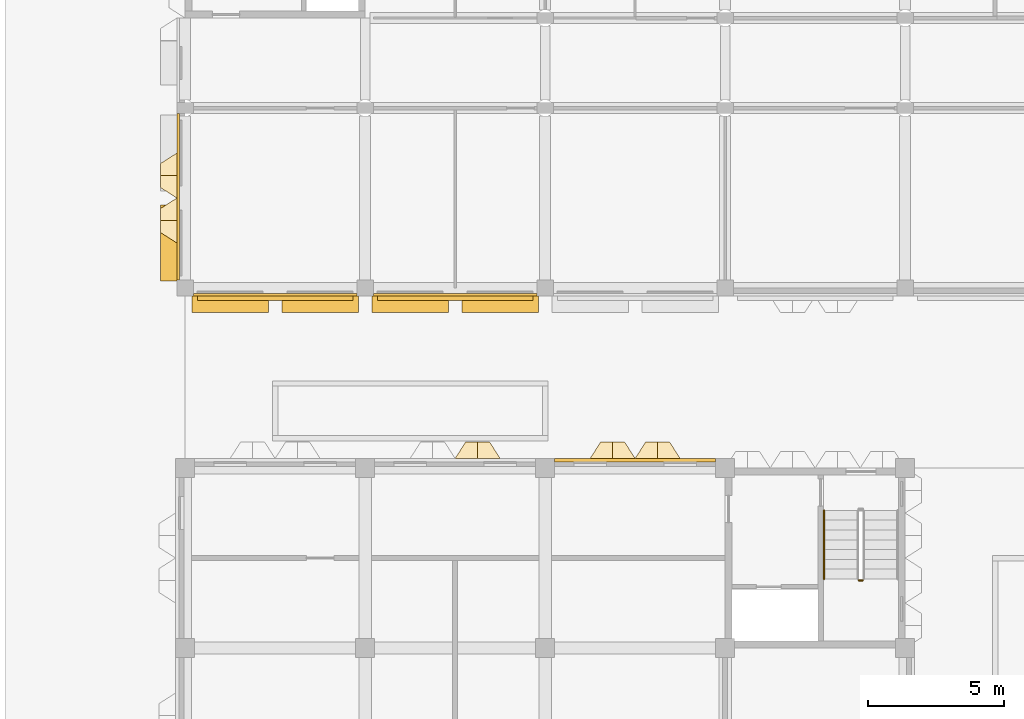
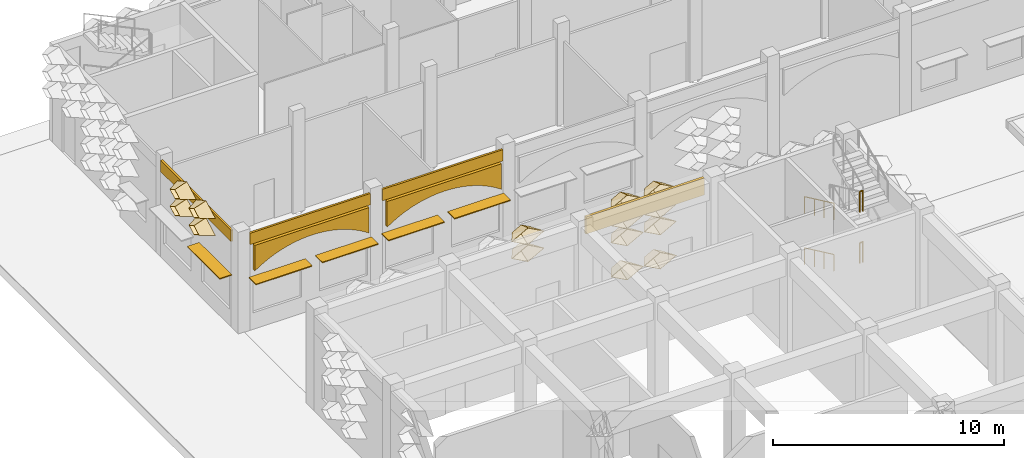
# One storey, part 66 of 85: 20 coverings, 5 shading devices, 4 railings.
"""IFC4 building model written with IfcOpenShell, lengths in metres."""

from ifc_helpers import new_model, entity, si_unit, direction, frame, frame_2d, origin, origin_2d, place, context, subcontext, project, spatial, polyline, rectangle, circle, outline, extrude, material, layer, layer_set, type_object, element, save


model = new_model("IFC4")

# Units and contexts
model_context = context("Model", 3, precision=1e-05, world=origin(), true_north=direction((0.0, 1.0)))
body_context = subcontext(model_context, "Body", "Model", "MODEL_VIEW")
ifc_project = project(units=[si_unit("LENGTHUNIT", "METRE"), si_unit("AREAUNIT", "SQUARE_METRE"), si_unit("VOLUMEUNIT", "CUBIC_METRE"), si_unit("PLANEANGLEUNIT", "RADIAN"), si_unit("MASSUNIT", "GRAM", prefix="KILO")], contexts=[model_context])

# Site, building, storey
site_placement = place(None, origin())
site = spatial("IfcSite", under=ifc_project, at=site_placement, CompositionType="ELEMENT")
building_placement = place(site_placement, origin())
building = spatial("IfcBuilding", under=site, at=building_placement, Name="Lantern Court Research Institute", CompositionType="ELEMENT")
storey_placement = place(building_placement, origin())
storey = spatial("IfcBuildingStorey", under=building, at=storey_placement, Name="L00", CompositionType="ELEMENT", Elevation=0.0)

# Coverings
ifc_material_1 = material(Name="Glass fibre reinforced concrete cladding", Category="concrete")
ifc_layer_1 = layer(ifc_material_1, 0.25)
ifc_layer_set_1 = layer_set([ifc_layer_1], Name="Glass fibre reinforced concrete cladding")
covering_type_1 = type_object("IfcCoveringType", Name="Arcade frieze panel 250 glass fibre reinforced concrete", PredefinedType="CLADDING", material=ifc_layer_set_1)
covering_1_placement = place(storey_placement, frame((0.0, 82.199951171875, 0.0), z_axis=(0.0, -1.0, 0.0), x_axis=(1.0, 0.0, 0.0)))
element("IfcCovering", 1, at=covering_1_placement, inside=storey, type_object=covering_type_1, Name="Cloister arched frieze panel 1", PredefinedType="CLADDING", context=body_context, shape_type="SweptSolid", body=[
    extrude(outline(polyline([(0.449951171875, 4.550048828125), (0.449951171875, 3.199951171875), (0.6875, 3.356689453125), (0.925048828125, 3.494873046875), (1.16259765625, 3.615966796875), (1.39990234375, 3.721923828125), (1.637451171875, 3.813232421875), (1.875, 3.89111328125), (2.112548828125, 3.955810546875), (2.35009765625, 4.00830078125), (2.58740234375, 4.048583984375), (2.824951171875, 4.0771484375), (3.0625, 4.09423828125), (3.300048828125, 4.10009765625), (3.53759765625, 4.09423828125), (3.77490234375, 4.0771484375), (4.012451171875, 4.048583984375), (4.25, 4.00830078125), (4.487548828125, 3.955810546875), (4.72509765625, 3.89111328125), (4.96240234375, 3.813232421875), (5.199951171875, 3.721923828125), (5.4375, 3.615966796875), (5.675048828125, 3.494873046875), (5.91259765625, 3.356689453125), (6.14990234375, 3.199951171875), (6.14990234375, 4.550048828125), (0.449951171875, 4.550048828125)])), origin(), (0.0, 0.0, 1.0), 0.14990234375),
])
covering_2_placement = place(storey_placement, frame((0.0, 82.199951171875, 0.0), z_axis=(0.0, -1.0, 0.0), x_axis=(1.0, 0.0, 0.0)))
element("IfcCovering", 2, at=covering_2_placement, inside=storey, type_object=covering_type_1, Name="Cloister arched frieze panel 2", PredefinedType="CLADDING", context=body_context, shape_type="SweptSolid", body=[
    extrude(outline(polyline([(7.050048828125, 4.550048828125), (7.050048828125, 3.199951171875), (7.28759765625, 3.356689453125), (7.52490234375, 3.494873046875), (7.762451171875, 3.615966796875), (8.0, 3.721923828125), (8.237548828125, 3.813232421875), (8.47509765625, 3.89111328125), (8.71240234375, 3.955810546875), (8.949951171875, 4.00830078125), (9.1875, 4.048583984375), (9.425048828125, 4.0771484375), (9.66259765625, 4.09423828125), (9.89990234375, 4.10009765625), (10.137451171875, 4.09423828125), (10.375, 4.0771484375), (10.612548828125, 4.048583984375), (10.85009765625, 4.00830078125), (11.08740234375, 3.955810546875), (11.324951171875, 3.89111328125), (11.5625, 3.813232421875), (11.800048828125, 3.721923828125), (12.03759765625, 3.615966796875), (12.27490234375, 3.494873046875), (12.512451171875, 3.356689453125), (12.75, 3.199951171875), (12.75, 4.550048828125), (7.050048828125, 4.550048828125)])), origin(), (0.0, 0.0, 1.0), 0.14990234375),
])

# Shading devices
ifc_material_2 = material(Name="Aluminium alloy 6063-T6", Category="aluminium")
ifc_layer_2 = layer(ifc_material_2, 0.050048828125)
ifc_layer_set_2 = layer_set([ifc_layer_2], Name="Aluminium alloy 6063-T6")
shading_device_type = type_object("IfcShadingDeviceType", Name="Brise-soleil blade 2800 x 600 x 50 aluminium", PredefinedType="USERDEFINED", material=ifc_layer_set_2)
for number, where, z_axis, x_axis, name in (
    (3, (1.64990234375, 81.89990234375, 2.7998046875), (0.0, 0.0, 1.0), (-1.0, 0.0, 0.0), "Brise-soleil blade L00 S"),
    (4, (4.949951171875, 81.89990234375, 2.7998046875), (0.0, 0.0, 1.0), (-1.0, 0.0, 0.0), "Brise-soleil blade L00 S"),
    (5, (8.25, 81.89990234375, 2.7998046875), (0.0, 0.0, 1.0), (-1.0, 0.0, 0.0), "Brise-soleil blade L00 S"),
    (6, (11.550048828125, 81.89990234375, 2.7998046875), (0.0, 0.0, 1.0), (-1.0, 0.0, 0.0), "Brise-soleil blade L00 S"),
    (7, (-0.60009765625, 84.14990234375, 2.7998046875), (0.0, 0.0, 1.0), (0.0, 1.0, 0.0), "Brise-soleil blade L00 W"),
):
    element("IfcShadingDevice", number, at=place(storey_placement, frame(where, z_axis=z_axis, x_axis=x_axis)), inside=storey, type_object=shading_device_type, Name=name, ObjectType="LOUVRE", PredefinedType="USERDEFINED", context=body_context, shape_type="SweptSolid", body=[
        extrude(rectangle(XDim=2.800048828125, YDim=0.60009765625, at=origin_2d()), origin(), (0.0, 0.0, 1.0), 0.050048828125),
    ])

# Coverings
ifc_material_3 = material(Name="Aluminium composite panel with mineral wool insulation", Category="aluminium")
ifc_layer_3 = layer(ifc_material_3, 0.10009765625)
ifc_layer_set_3 = layer_set([ifc_layer_3], Name="Aluminium composite panel with mineral wool insulation")
covering_type_2 = type_object("IfcCoveringType", Name="Edge fascia panel 100 aluminium faced", PredefinedType="CLADDING", material=ifc_layer_set_3)
for number, where, z_axis, x_axis, name in (
    (8, (6.300048828125, 82.25, 4.550048828125), (0.0, 0.0, 1.0), (-1.0, 0.0, 0.0), "Edge fascia V6S L00 01"),
    (9, (12.89990234375, 82.25, 4.550048828125), (0.0, 0.0, 1.0), (-1.0, 0.0, 0.0), "Edge fascia V6S L00 02"),
):
    element("IfcCovering", number, at=place(storey_placement, frame(where, z_axis=z_axis, x_axis=x_axis)), inside=storey, type_object=covering_type_2, Name=name, PredefinedType="CLADDING", context=body_context, shape_type="SweptSolid", body=[
        extrude(rectangle(XDim=6.0, YDim=0.10009765625, at=frame_2d((3.0, 0.0))), origin(), (0.0, 0.0, 1.0), 0.599853515625),
    ])
covering_3_placement = place(storey_placement, frame((-0.25, 82.800048828125, 4.550048828125), z_axis=(0.0, 0.0, 1.0), x_axis=(0.0, 1.0, 0.0)))
element("IfcCovering", 10, at=covering_3_placement, inside=storey, type_object=covering_type_2, Name="Edge fascia V6W L00 01", PredefinedType="CLADDING", context=body_context, shape_type="SweptSolid", body=[
    extrude(rectangle(XDim=6.099853515625, YDim=0.10009765625, at=frame_2d((3.0498046875, 0.0))), origin(), (0.0, 0.0, 1.0), 0.599853515625),
])
ifc_material_4 = material(Name="Aluminium composite panel with mineral wool insulation", Category="aluminium")
ifc_layer_4 = layer(ifc_material_4, 0.125)
ifc_layer_set_4 = layer_set([ifc_layer_4], Name="Aluminium composite panel with mineral wool insulation")
covering_type_3 = type_object("IfcCoveringType", Name="Edge fascia panel 125 aluminium faced", PredefinedType="CLADDING", material=ifc_layer_set_4)
covering_4_placement = place(storey_placement, frame((13.550048828125, 76.1875, 4.14990234375), z_axis=(0.0, 0.0, 1.0), x_axis=(1.0, 0.0, 0.0)))
element("IfcCovering", 11, at=covering_4_placement, inside=storey, type_object=covering_type_3, Name="Edge fascia V3N L00 03", PredefinedType="CLADDING", context=body_context, shape_type="SweptSolid", body=[
    extrude(rectangle(XDim=5.89990234375, YDim=0.125, at=frame_2d((2.949951171875, 0.0))), origin(), (0.0, 0.0, 1.0), 0.900146484375),
])
ifc_material_5 = material(Name="Anodised aluminium", Category="aluminium")
ifc_layer_5 = layer(ifc_material_5, 0.01611328125)
ifc_layer_set_5 = layer_set([ifc_layer_5], Name="Anodised aluminium")
covering_type_4 = type_object("IfcCoveringType", Name="Fin cassette 1650 x 900 x 600 aluminium", PredefinedType="CLADDING", material=ifc_layer_set_5)
covering_5_placement = place(storey_placement, frame((15.675048828125, 76.25, 1.35009765625), z_axis=(0.0, 1.0, 0.0), x_axis=(-1.0, 0.0, 0.0)))
cartesian_point_1 = entity("IfcCartesianPoint", [0.824951171875, 0.0])
cartesian_point_2 = entity("IfcCartesianPoint", [0.79150390625, 0.0])
cartesian_point_3 = entity("IfcCartesianPoint", [0.44189453125, 0.0])
cartesian_point_4 = entity("IfcCartesianPoint", [0.43359375, 0.0])
element("IfcCovering", 12, at=covering_5_placement, inside=storey, type_object=covering_type_4, Name="Fin cassette V3N-L00 2.10", PredefinedType="CLADDING", context=body_context, shape_type="SweptSolid", body=[
    entity("IfcExtrudedAreaSolidTapered", entity("IfcArbitraryProfileDefWithVoids", "AREA", None, entity("IfcPolyline", [cartesian_point_1, entity("IfcCartesianPoint", [0.0, 0.449951171875]), entity("IfcCartesianPoint", [-0.824951171875, 0.0]), entity("IfcCartesianPoint", [0.0, -0.449951171875]), cartesian_point_1]), [entity("IfcPolyline", [cartesian_point_2, entity("IfcCartesianPoint", [0.0, 0.431884765625]), entity("IfcCartesianPoint", [-0.79150390625, 0.0]), entity("IfcCartesianPoint", [0.0, -0.431884765625]), cartesian_point_2])]), entity("IfcAxis2Placement3D", entity("IfcCartesianPoint", [0.0, 0.0, 0.0])), entity("IfcDirection", [0.0, 0.0, 1.0]), 0.60009765625, entity("IfcArbitraryProfileDefWithVoids", "AREA", None, entity("IfcPolyline", [cartesian_point_3, entity("IfcCartesianPoint", [0.0, 0.240966796875]), entity("IfcCartesianPoint", [-0.44189453125, 0.0]), entity("IfcCartesianPoint", [0.0, -0.240966796875]), cartesian_point_3]), [entity("IfcPolyline", [cartesian_point_4, entity("IfcCartesianPoint", [0.0, 0.236572265625]), entity("IfcCartesianPoint", [-0.43359375, 0.0]), entity("IfcCartesianPoint", [0.0, -0.236572265625]), cartesian_point_4])])),
])
covering_6_placement = place(storey_placement, frame((17.324951171875, 76.25, 1.35009765625), z_axis=(0.0, 1.0, 0.0), x_axis=(-1.0, 0.0, 0.0)))
cartesian_point_5 = entity("IfcCartesianPoint", [0.824951171875, 0.0])
cartesian_point_6 = entity("IfcCartesianPoint", [0.79150390625, 0.0])
cartesian_point_7 = entity("IfcCartesianPoint", [0.44189453125, 0.0])
cartesian_point_8 = entity("IfcCartesianPoint", [0.43359375, 0.0])
element("IfcCovering", 13, at=covering_6_placement, inside=storey, type_object=covering_type_4, Name="Fin cassette V3N-L00 2.11", PredefinedType="CLADDING", context=body_context, shape_type="SweptSolid", body=[
    entity("IfcExtrudedAreaSolidTapered", entity("IfcArbitraryProfileDefWithVoids", "AREA", None, entity("IfcPolyline", [cartesian_point_5, entity("IfcCartesianPoint", [0.0, 0.449951171875]), entity("IfcCartesianPoint", [-0.824951171875, 0.0]), entity("IfcCartesianPoint", [0.0, -0.449951171875]), cartesian_point_5]), [entity("IfcPolyline", [cartesian_point_6, entity("IfcCartesianPoint", [0.0, 0.431884765625]), entity("IfcCartesianPoint", [-0.79150390625, 0.0]), entity("IfcCartesianPoint", [0.0, -0.431884765625]), cartesian_point_6])]), entity("IfcAxis2Placement3D", entity("IfcCartesianPoint", [0.0, 0.0, 0.0])), entity("IfcDirection", [0.0, 0.0, 1.0]), 0.60009765625, entity("IfcArbitraryProfileDefWithVoids", "AREA", None, entity("IfcPolyline", [cartesian_point_7, entity("IfcCartesianPoint", [0.0, 0.240966796875]), entity("IfcCartesianPoint", [-0.44189453125, 0.0]), entity("IfcCartesianPoint", [0.0, -0.240966796875]), cartesian_point_7]), [entity("IfcPolyline", [cartesian_point_8, entity("IfcCartesianPoint", [0.0, 0.236572265625]), entity("IfcCartesianPoint", [-0.43359375, 0.0]), entity("IfcCartesianPoint", [0.0, -0.236572265625]), cartesian_point_8])])),
])
covering_7_placement = place(storey_placement, frame((15.675048828125, 76.25, 3.14990234375), z_axis=(0.0, 1.0, 0.0), x_axis=(-1.0, 0.0, 0.0)))
cartesian_point_9 = entity("IfcCartesianPoint", [0.824951171875, 0.0])
cartesian_point_10 = entity("IfcCartesianPoint", [0.79150390625, 0.0])
cartesian_point_11 = entity("IfcCartesianPoint", [0.44189453125, 0.0])
cartesian_point_12 = entity("IfcCartesianPoint", [0.43359375, 0.0])
element("IfcCovering", 14, at=covering_7_placement, inside=storey, type_object=covering_type_4, Name="Fin cassette V3N-L00 4.10", PredefinedType="CLADDING", context=body_context, shape_type="SweptSolid", body=[
    entity("IfcExtrudedAreaSolidTapered", entity("IfcArbitraryProfileDefWithVoids", "AREA", None, entity("IfcPolyline", [cartesian_point_9, entity("IfcCartesianPoint", [0.0, 0.449951171875]), entity("IfcCartesianPoint", [-0.824951171875, 0.0]), entity("IfcCartesianPoint", [0.0, -0.449951171875]), cartesian_point_9]), [entity("IfcPolyline", [cartesian_point_10, entity("IfcCartesianPoint", [0.0, 0.431884765625]), entity("IfcCartesianPoint", [-0.79150390625, 0.0]), entity("IfcCartesianPoint", [0.0, -0.431884765625]), cartesian_point_10])]), entity("IfcAxis2Placement3D", entity("IfcCartesianPoint", [0.0, 0.0, 0.0])), entity("IfcDirection", [0.0, 0.0, 1.0]), 0.60009765625, entity("IfcArbitraryProfileDefWithVoids", "AREA", None, entity("IfcPolyline", [cartesian_point_11, entity("IfcCartesianPoint", [0.0, 0.240966796875]), entity("IfcCartesianPoint", [-0.44189453125, 0.0]), entity("IfcCartesianPoint", [0.0, -0.240966796875]), cartesian_point_11]), [entity("IfcPolyline", [cartesian_point_12, entity("IfcCartesianPoint", [0.0, 0.236572265625]), entity("IfcCartesianPoint", [-0.43359375, 0.0]), entity("IfcCartesianPoint", [0.0, -0.236572265625]), cartesian_point_12])])),
])
covering_8_placement = place(storey_placement, frame((17.324951171875, 76.25, 3.14990234375), z_axis=(0.0, 1.0, 0.0), x_axis=(-1.0, 0.0, 0.0)))
cartesian_point_13 = entity("IfcCartesianPoint", [0.824951171875, 0.0])
cartesian_point_14 = entity("IfcCartesianPoint", [0.79150390625, 0.0])
cartesian_point_15 = entity("IfcCartesianPoint", [0.44189453125, 0.0])
cartesian_point_16 = entity("IfcCartesianPoint", [0.43359375, 0.0])
element("IfcCovering", 15, at=covering_8_placement, inside=storey, type_object=covering_type_4, Name="Fin cassette V3N-L00 4.11", PredefinedType="CLADDING", context=body_context, shape_type="SweptSolid", body=[
    entity("IfcExtrudedAreaSolidTapered", entity("IfcArbitraryProfileDefWithVoids", "AREA", None, entity("IfcPolyline", [cartesian_point_13, entity("IfcCartesianPoint", [0.0, 0.449951171875]), entity("IfcCartesianPoint", [-0.824951171875, 0.0]), entity("IfcCartesianPoint", [0.0, -0.449951171875]), cartesian_point_13]), [entity("IfcPolyline", [cartesian_point_14, entity("IfcCartesianPoint", [0.0, 0.431884765625]), entity("IfcCartesianPoint", [-0.79150390625, 0.0]), entity("IfcCartesianPoint", [0.0, -0.431884765625]), cartesian_point_14])]), entity("IfcAxis2Placement3D", entity("IfcCartesianPoint", [0.0, 0.0, 0.0])), entity("IfcDirection", [0.0, 0.0, 1.0]), 0.60009765625, entity("IfcArbitraryProfileDefWithVoids", "AREA", None, entity("IfcPolyline", [cartesian_point_15, entity("IfcCartesianPoint", [0.0, 0.240966796875]), entity("IfcCartesianPoint", [-0.44189453125, 0.0]), entity("IfcCartesianPoint", [0.0, -0.240966796875]), cartesian_point_15]), [entity("IfcPolyline", [cartesian_point_16, entity("IfcCartesianPoint", [0.0, 0.236572265625]), entity("IfcCartesianPoint", [-0.43359375, 0.0]), entity("IfcCartesianPoint", [0.0, -0.236572265625]), cartesian_point_16])])),
])
covering_9_placement = place(storey_placement, frame((10.72509765625, 76.25, 4.050048828125), z_axis=(0.0, 1.0, 0.0), x_axis=(-1.0, 0.0, 0.0)))
cartesian_point_17 = entity("IfcCartesianPoint", [0.824951171875, 0.0])
cartesian_point_18 = entity("IfcCartesianPoint", [0.79150390625, 0.0])
cartesian_point_19 = entity("IfcCartesianPoint", [0.44189453125, 0.0])
cartesian_point_20 = entity("IfcCartesianPoint", [0.43359375, 0.0])
element("IfcCovering", 16, at=covering_9_placement, inside=storey, type_object=covering_type_4, Name="Fin cassette V3N-L00 5.7", PredefinedType="CLADDING", context=body_context, shape_type="SweptSolid", body=[
    entity("IfcExtrudedAreaSolidTapered", entity("IfcArbitraryProfileDefWithVoids", "AREA", None, entity("IfcPolyline", [cartesian_point_17, entity("IfcCartesianPoint", [0.0, 0.449951171875]), entity("IfcCartesianPoint", [-0.824951171875, 0.0]), entity("IfcCartesianPoint", [0.0, -0.449951171875]), cartesian_point_17]), [entity("IfcPolyline", [cartesian_point_18, entity("IfcCartesianPoint", [0.0, 0.431884765625]), entity("IfcCartesianPoint", [-0.79150390625, 0.0]), entity("IfcCartesianPoint", [0.0, -0.431884765625]), cartesian_point_18])]), entity("IfcAxis2Placement3D", entity("IfcCartesianPoint", [0.0, 0.0, 0.0])), entity("IfcDirection", [0.0, 0.0, 1.0]), 0.60009765625, entity("IfcArbitraryProfileDefWithVoids", "AREA", None, entity("IfcPolyline", [cartesian_point_19, entity("IfcCartesianPoint", [0.0, 0.240966796875]), entity("IfcCartesianPoint", [-0.44189453125, 0.0]), entity("IfcCartesianPoint", [0.0, -0.240966796875]), cartesian_point_19]), [entity("IfcPolyline", [cartesian_point_20, entity("IfcCartesianPoint", [0.0, 0.236572265625]), entity("IfcCartesianPoint", [-0.43359375, 0.0]), entity("IfcCartesianPoint", [0.0, -0.236572265625]), cartesian_point_20])])),
])
covering_10_placement = place(storey_placement, frame((15.675048828125, 76.25, 4.050048828125), z_axis=(0.0, 1.0, 0.0), x_axis=(-1.0, 0.0, 0.0)))
cartesian_point_21 = entity("IfcCartesianPoint", [0.824951171875, 0.0])
cartesian_point_22 = entity("IfcCartesianPoint", [0.79150390625, 0.0])
cartesian_point_23 = entity("IfcCartesianPoint", [0.44189453125, 0.0])
cartesian_point_24 = entity("IfcCartesianPoint", [0.43359375, 0.0])
element("IfcCovering", 17, at=covering_10_placement, inside=storey, type_object=covering_type_4, Name="Fin cassette V3N-L00 5.10", PredefinedType="CLADDING", context=body_context, shape_type="SweptSolid", body=[
    entity("IfcExtrudedAreaSolidTapered", entity("IfcArbitraryProfileDefWithVoids", "AREA", None, entity("IfcPolyline", [cartesian_point_21, entity("IfcCartesianPoint", [0.0, 0.449951171875]), entity("IfcCartesianPoint", [-0.824951171875, 0.0]), entity("IfcCartesianPoint", [0.0, -0.449951171875]), cartesian_point_21]), [entity("IfcPolyline", [cartesian_point_22, entity("IfcCartesianPoint", [0.0, 0.431884765625]), entity("IfcCartesianPoint", [-0.79150390625, 0.0]), entity("IfcCartesianPoint", [0.0, -0.431884765625]), cartesian_point_22])]), entity("IfcAxis2Placement3D", entity("IfcCartesianPoint", [0.0, 0.0, 0.0])), entity("IfcDirection", [0.0, 0.0, 1.0]), 0.60009765625, entity("IfcArbitraryProfileDefWithVoids", "AREA", None, entity("IfcPolyline", [cartesian_point_23, entity("IfcCartesianPoint", [0.0, 0.240966796875]), entity("IfcCartesianPoint", [-0.44189453125, 0.0]), entity("IfcCartesianPoint", [0.0, -0.240966796875]), cartesian_point_23]), [entity("IfcPolyline", [cartesian_point_24, entity("IfcCartesianPoint", [0.0, 0.236572265625]), entity("IfcCartesianPoint", [-0.43359375, 0.0]), entity("IfcCartesianPoint", [0.0, -0.236572265625]), cartesian_point_24])])),
])
covering_11_placement = place(storey_placement, frame((17.324951171875, 76.25, 4.050048828125), z_axis=(0.0, 1.0, 0.0), x_axis=(-1.0, 0.0, 0.0)))
cartesian_point_25 = entity("IfcCartesianPoint", [0.824951171875, 0.0])
cartesian_point_26 = entity("IfcCartesianPoint", [0.79150390625, 0.0])
cartesian_point_27 = entity("IfcCartesianPoint", [0.44189453125, 0.0])
cartesian_point_28 = entity("IfcCartesianPoint", [0.43359375, 0.0])
element("IfcCovering", 18, at=covering_11_placement, inside=storey, type_object=covering_type_4, Name="Fin cassette V3N-L00 5.11", PredefinedType="CLADDING", context=body_context, shape_type="SweptSolid", body=[
    entity("IfcExtrudedAreaSolidTapered", entity("IfcArbitraryProfileDefWithVoids", "AREA", None, entity("IfcPolyline", [cartesian_point_25, entity("IfcCartesianPoint", [0.0, 0.449951171875]), entity("IfcCartesianPoint", [-0.824951171875, 0.0]), entity("IfcCartesianPoint", [0.0, -0.449951171875]), cartesian_point_25]), [entity("IfcPolyline", [cartesian_point_26, entity("IfcCartesianPoint", [0.0, 0.431884765625]), entity("IfcCartesianPoint", [-0.79150390625, 0.0]), entity("IfcCartesianPoint", [0.0, -0.431884765625]), cartesian_point_26])]), entity("IfcAxis2Placement3D", entity("IfcCartesianPoint", [0.0, 0.0, 0.0])), entity("IfcDirection", [0.0, 0.0, 1.0]), 0.60009765625, entity("IfcArbitraryProfileDefWithVoids", "AREA", None, entity("IfcPolyline", [cartesian_point_27, entity("IfcCartesianPoint", [0.0, 0.240966796875]), entity("IfcCartesianPoint", [-0.44189453125, 0.0]), entity("IfcCartesianPoint", [0.0, -0.240966796875]), cartesian_point_27]), [entity("IfcPolyline", [cartesian_point_28, entity("IfcCartesianPoint", [0.0, 0.236572265625]), entity("IfcCartesianPoint", [-0.43359375, 0.0]), entity("IfcCartesianPoint", [0.0, -0.236572265625]), cartesian_point_28])])),
])
covering_12_placement = place(storey_placement, frame((10.72509765625, 76.25, 4.949951171875), z_axis=(0.0, 1.0, 0.0), x_axis=(-1.0, 0.0, 0.0)))
cartesian_point_29 = entity("IfcCartesianPoint", [0.824951171875, 0.0])
cartesian_point_30 = entity("IfcCartesianPoint", [0.79150390625, 0.0])
cartesian_point_31 = entity("IfcCartesianPoint", [0.44189453125, 0.0])
cartesian_point_32 = entity("IfcCartesianPoint", [0.43359375, 0.0])
element("IfcCovering", 19, at=covering_12_placement, inside=storey, type_object=covering_type_4, Name="Fin cassette V3N-L00 6.7", PredefinedType="CLADDING", context=body_context, shape_type="SweptSolid", body=[
    entity("IfcExtrudedAreaSolidTapered", entity("IfcArbitraryProfileDefWithVoids", "AREA", None, entity("IfcPolyline", [cartesian_point_29, entity("IfcCartesianPoint", [0.0, 0.449951171875]), entity("IfcCartesianPoint", [-0.824951171875, 0.0]), entity("IfcCartesianPoint", [0.0, -0.449951171875]), cartesian_point_29]), [entity("IfcPolyline", [cartesian_point_30, entity("IfcCartesianPoint", [0.0, 0.431884765625]), entity("IfcCartesianPoint", [-0.79150390625, 0.0]), entity("IfcCartesianPoint", [0.0, -0.431884765625]), cartesian_point_30])]), entity("IfcAxis2Placement3D", entity("IfcCartesianPoint", [0.0, 0.0, 0.0])), entity("IfcDirection", [0.0, 0.0, 1.0]), 0.60009765625, entity("IfcArbitraryProfileDefWithVoids", "AREA", None, entity("IfcPolyline", [cartesian_point_31, entity("IfcCartesianPoint", [0.0, 0.240966796875]), entity("IfcCartesianPoint", [-0.44189453125, 0.0]), entity("IfcCartesianPoint", [0.0, -0.240966796875]), cartesian_point_31]), [entity("IfcPolyline", [cartesian_point_32, entity("IfcCartesianPoint", [0.0, 0.236572265625]), entity("IfcCartesianPoint", [-0.43359375, 0.0]), entity("IfcCartesianPoint", [0.0, -0.236572265625]), cartesian_point_32])])),
])
covering_13_placement = place(storey_placement, frame((15.675048828125, 76.25, 4.949951171875), z_axis=(0.0, 1.0, 0.0), x_axis=(-1.0, 0.0, 0.0)))
cartesian_point_33 = entity("IfcCartesianPoint", [0.824951171875, 0.0])
cartesian_point_34 = entity("IfcCartesianPoint", [0.79150390625, 0.0])
cartesian_point_35 = entity("IfcCartesianPoint", [0.44189453125, 0.0])
cartesian_point_36 = entity("IfcCartesianPoint", [0.43359375, 0.0])
element("IfcCovering", 20, at=covering_13_placement, inside=storey, type_object=covering_type_4, Name="Fin cassette V3N-L00 6.10", PredefinedType="CLADDING", context=body_context, shape_type="SweptSolid", body=[
    entity("IfcExtrudedAreaSolidTapered", entity("IfcArbitraryProfileDefWithVoids", "AREA", None, entity("IfcPolyline", [cartesian_point_33, entity("IfcCartesianPoint", [0.0, 0.449951171875]), entity("IfcCartesianPoint", [-0.824951171875, 0.0]), entity("IfcCartesianPoint", [0.0, -0.449951171875]), cartesian_point_33]), [entity("IfcPolyline", [cartesian_point_34, entity("IfcCartesianPoint", [0.0, 0.431884765625]), entity("IfcCartesianPoint", [-0.79150390625, 0.0]), entity("IfcCartesianPoint", [0.0, -0.431884765625]), cartesian_point_34])]), entity("IfcAxis2Placement3D", entity("IfcCartesianPoint", [0.0, 0.0, 0.0])), entity("IfcDirection", [0.0, 0.0, 1.0]), 0.60009765625, entity("IfcArbitraryProfileDefWithVoids", "AREA", None, entity("IfcPolyline", [cartesian_point_35, entity("IfcCartesianPoint", [0.0, 0.240966796875]), entity("IfcCartesianPoint", [-0.44189453125, 0.0]), entity("IfcCartesianPoint", [0.0, -0.240966796875]), cartesian_point_35]), [entity("IfcPolyline", [cartesian_point_36, entity("IfcCartesianPoint", [0.0, 0.236572265625]), entity("IfcCartesianPoint", [-0.43359375, 0.0]), entity("IfcCartesianPoint", [0.0, -0.236572265625]), cartesian_point_36])])),
])
covering_14_placement = place(storey_placement, frame((17.324951171875, 76.25, 4.949951171875), z_axis=(0.0, 1.0, 0.0), x_axis=(-1.0, 0.0, 0.0)))
cartesian_point_37 = entity("IfcCartesianPoint", [0.824951171875, 0.0])
cartesian_point_38 = entity("IfcCartesianPoint", [0.79150390625, 0.0])
cartesian_point_39 = entity("IfcCartesianPoint", [0.44189453125, 0.0])
cartesian_point_40 = entity("IfcCartesianPoint", [0.43359375, 0.0])
element("IfcCovering", 21, at=covering_14_placement, inside=storey, type_object=covering_type_4, Name="Fin cassette V3N-L00 6.11", PredefinedType="CLADDING", context=body_context, shape_type="SweptSolid", body=[
    entity("IfcExtrudedAreaSolidTapered", entity("IfcArbitraryProfileDefWithVoids", "AREA", None, entity("IfcPolyline", [cartesian_point_37, entity("IfcCartesianPoint", [0.0, 0.449951171875]), entity("IfcCartesianPoint", [-0.824951171875, 0.0]), entity("IfcCartesianPoint", [0.0, -0.449951171875]), cartesian_point_37]), [entity("IfcPolyline", [cartesian_point_38, entity("IfcCartesianPoint", [0.0, 0.431884765625]), entity("IfcCartesianPoint", [-0.79150390625, 0.0]), entity("IfcCartesianPoint", [0.0, -0.431884765625]), cartesian_point_38])]), entity("IfcAxis2Placement3D", entity("IfcCartesianPoint", [0.0, 0.0, 0.0])), entity("IfcDirection", [0.0, 0.0, 1.0]), 0.60009765625, entity("IfcArbitraryProfileDefWithVoids", "AREA", None, entity("IfcPolyline", [cartesian_point_39, entity("IfcCartesianPoint", [0.0, 0.240966796875]), entity("IfcCartesianPoint", [-0.44189453125, 0.0]), entity("IfcCartesianPoint", [0.0, -0.240966796875]), cartesian_point_39]), [entity("IfcPolyline", [cartesian_point_40, entity("IfcCartesianPoint", [0.0, 0.236572265625]), entity("IfcCartesianPoint", [-0.43359375, 0.0]), entity("IfcCartesianPoint", [0.0, -0.236572265625]), cartesian_point_40])])),
])
covering_15_placement = place(storey_placement, frame((-0.300048828125, 84.97509765625, 4.050048828125), z_axis=(-1.0, 0.0, 0.0), x_axis=(0.0, -1.0, 0.0)))
cartesian_point_41 = entity("IfcCartesianPoint", [0.824951171875, 0.0])
cartesian_point_42 = entity("IfcCartesianPoint", [0.79150390625, 0.0])
cartesian_point_43 = entity("IfcCartesianPoint", [0.44189453125, 0.0])
cartesian_point_44 = entity("IfcCartesianPoint", [0.43359375, 0.0])
element("IfcCovering", 22, at=covering_15_placement, inside=storey, type_object=covering_type_4, Name="Fin cassette V6W-L00 5.52", PredefinedType="CLADDING", context=body_context, shape_type="SweptSolid", body=[
    entity("IfcExtrudedAreaSolidTapered", entity("IfcArbitraryProfileDefWithVoids", "AREA", None, entity("IfcPolyline", [cartesian_point_41, entity("IfcCartesianPoint", [0.0, 0.449951171875]), entity("IfcCartesianPoint", [-0.824951171875, 0.0]), entity("IfcCartesianPoint", [0.0, -0.449951171875]), cartesian_point_41]), [entity("IfcPolyline", [cartesian_point_42, entity("IfcCartesianPoint", [0.0, 0.431884765625]), entity("IfcCartesianPoint", [-0.79150390625, 0.0]), entity("IfcCartesianPoint", [0.0, -0.431884765625]), cartesian_point_42])]), entity("IfcAxis2Placement3D", entity("IfcCartesianPoint", [0.0, 0.0, 0.0])), entity("IfcDirection", [0.0, 0.0, 1.0]), 0.60009765625, entity("IfcArbitraryProfileDefWithVoids", "AREA", None, entity("IfcPolyline", [cartesian_point_43, entity("IfcCartesianPoint", [0.0, 0.240966796875]), entity("IfcCartesianPoint", [-0.44189453125, 0.0]), entity("IfcCartesianPoint", [0.0, -0.240966796875]), cartesian_point_43]), [entity("IfcPolyline", [cartesian_point_44, entity("IfcCartesianPoint", [0.0, 0.236572265625]), entity("IfcCartesianPoint", [-0.43359375, 0.0]), entity("IfcCartesianPoint", [0.0, -0.236572265625]), cartesian_point_44])])),
])
covering_16_placement = place(storey_placement, frame((-0.300048828125, 86.625, 4.050048828125), z_axis=(-1.0, 0.0, 0.0), x_axis=(0.0, -1.0, 0.0)))
cartesian_point_45 = entity("IfcCartesianPoint", [0.824951171875, 0.0])
cartesian_point_46 = entity("IfcCartesianPoint", [0.79150390625, 0.0])
cartesian_point_47 = entity("IfcCartesianPoint", [0.44189453125, 0.0])
cartesian_point_48 = entity("IfcCartesianPoint", [0.43359375, 0.0])
element("IfcCovering", 23, at=covering_16_placement, inside=storey, type_object=covering_type_4, Name="Fin cassette V6W-L00 5.53", PredefinedType="CLADDING", context=body_context, shape_type="SweptSolid", body=[
    entity("IfcExtrudedAreaSolidTapered", entity("IfcArbitraryProfileDefWithVoids", "AREA", None, entity("IfcPolyline", [cartesian_point_45, entity("IfcCartesianPoint", [0.0, 0.449951171875]), entity("IfcCartesianPoint", [-0.824951171875, 0.0]), entity("IfcCartesianPoint", [0.0, -0.449951171875]), cartesian_point_45]), [entity("IfcPolyline", [cartesian_point_46, entity("IfcCartesianPoint", [0.0, 0.431884765625]), entity("IfcCartesianPoint", [-0.79150390625, 0.0]), entity("IfcCartesianPoint", [0.0, -0.431884765625]), cartesian_point_46])]), entity("IfcAxis2Placement3D", entity("IfcCartesianPoint", [0.0, 0.0, 0.0])), entity("IfcDirection", [0.0, 0.0, 1.0]), 0.60009765625, entity("IfcArbitraryProfileDefWithVoids", "AREA", None, entity("IfcPolyline", [cartesian_point_47, entity("IfcCartesianPoint", [0.0, 0.240966796875]), entity("IfcCartesianPoint", [-0.44189453125, 0.0]), entity("IfcCartesianPoint", [0.0, -0.240966796875]), cartesian_point_47]), [entity("IfcPolyline", [cartesian_point_48, entity("IfcCartesianPoint", [0.0, 0.236572265625]), entity("IfcCartesianPoint", [-0.43359375, 0.0]), entity("IfcCartesianPoint", [0.0, -0.236572265625]), cartesian_point_48])])),
])
covering_17_placement = place(storey_placement, frame((-0.300048828125, 84.97509765625, 4.949951171875), z_axis=(-1.0, 0.0, 0.0), x_axis=(0.0, -1.0, 0.0)))
cartesian_point_49 = entity("IfcCartesianPoint", [0.824951171875, 0.0])
cartesian_point_50 = entity("IfcCartesianPoint", [0.79150390625, 0.0])
cartesian_point_51 = entity("IfcCartesianPoint", [0.44189453125, 0.0])
cartesian_point_52 = entity("IfcCartesianPoint", [0.43359375, 0.0])
element("IfcCovering", 24, at=covering_17_placement, inside=storey, type_object=covering_type_4, Name="Fin cassette V6W-L00 6.52", PredefinedType="CLADDING", context=body_context, shape_type="SweptSolid", body=[
    entity("IfcExtrudedAreaSolidTapered", entity("IfcArbitraryProfileDefWithVoids", "AREA", None, entity("IfcPolyline", [cartesian_point_49, entity("IfcCartesianPoint", [0.0, 0.449951171875]), entity("IfcCartesianPoint", [-0.824951171875, 0.0]), entity("IfcCartesianPoint", [0.0, -0.449951171875]), cartesian_point_49]), [entity("IfcPolyline", [cartesian_point_50, entity("IfcCartesianPoint", [0.0, 0.431884765625]), entity("IfcCartesianPoint", [-0.79150390625, 0.0]), entity("IfcCartesianPoint", [0.0, -0.431884765625]), cartesian_point_50])]), entity("IfcAxis2Placement3D", entity("IfcCartesianPoint", [0.0, 0.0, 0.0])), entity("IfcDirection", [0.0, 0.0, 1.0]), 0.60009765625, entity("IfcArbitraryProfileDefWithVoids", "AREA", None, entity("IfcPolyline", [cartesian_point_51, entity("IfcCartesianPoint", [0.0, 0.240966796875]), entity("IfcCartesianPoint", [-0.44189453125, 0.0]), entity("IfcCartesianPoint", [0.0, -0.240966796875]), cartesian_point_51]), [entity("IfcPolyline", [cartesian_point_52, entity("IfcCartesianPoint", [0.0, 0.236572265625]), entity("IfcCartesianPoint", [-0.43359375, 0.0]), entity("IfcCartesianPoint", [0.0, -0.236572265625]), cartesian_point_52])])),
])
covering_18_placement = place(storey_placement, frame((-0.300048828125, 86.625, 4.949951171875), z_axis=(-1.0, 0.0, 0.0), x_axis=(0.0, -1.0, 0.0)))
cartesian_point_53 = entity("IfcCartesianPoint", [0.824951171875, 0.0])
cartesian_point_54 = entity("IfcCartesianPoint", [0.79150390625, 0.0])
cartesian_point_55 = entity("IfcCartesianPoint", [0.44189453125, 0.0])
cartesian_point_56 = entity("IfcCartesianPoint", [0.43359375, 0.0])
element("IfcCovering", 25, at=covering_18_placement, inside=storey, type_object=covering_type_4, Name="Fin cassette V6W-L00 6.53", PredefinedType="CLADDING", context=body_context, shape_type="SweptSolid", body=[
    entity("IfcExtrudedAreaSolidTapered", entity("IfcArbitraryProfileDefWithVoids", "AREA", None, entity("IfcPolyline", [cartesian_point_53, entity("IfcCartesianPoint", [0.0, 0.449951171875]), entity("IfcCartesianPoint", [-0.824951171875, 0.0]), entity("IfcCartesianPoint", [0.0, -0.449951171875]), cartesian_point_53]), [entity("IfcPolyline", [cartesian_point_54, entity("IfcCartesianPoint", [0.0, 0.431884765625]), entity("IfcCartesianPoint", [-0.79150390625, 0.0]), entity("IfcCartesianPoint", [0.0, -0.431884765625]), cartesian_point_54])]), entity("IfcAxis2Placement3D", entity("IfcCartesianPoint", [0.0, 0.0, 0.0])), entity("IfcDirection", [0.0, 0.0, 1.0]), 0.60009765625, entity("IfcArbitraryProfileDefWithVoids", "AREA", None, entity("IfcPolyline", [cartesian_point_55, entity("IfcCartesianPoint", [0.0, 0.240966796875]), entity("IfcCartesianPoint", [-0.44189453125, 0.0]), entity("IfcCartesianPoint", [0.0, -0.240966796875]), cartesian_point_55]), [entity("IfcPolyline", [cartesian_point_56, entity("IfcCartesianPoint", [0.0, 0.236572265625]), entity("IfcCartesianPoint", [-0.43359375, 0.0]), entity("IfcCartesianPoint", [0.0, -0.236572265625]), cartesian_point_56])])),
])

# Railings
ifc_material_6 = material(Name="Structural steel S355", Category="steel")
railing_type_1 = type_object("IfcRailingType", Name="Stair guard 1100 steel", PredefinedType="GUARDRAIL", material=ifc_material_6)
for number, where, name in (
    (26, (24.699951171875, 71.780029296875, 1.35009765625), "L00 ST-C2 stair guard 2"),
    (27, (24.699951171875, 71.780029296875, 4.050048828125), "L00 ST-C2 stair guard 6"),
):
    element("IfcRailing", number, at=place(storey_placement, frame(where)), inside=storey, type_object=railing_type_1, Name=name, PredefinedType="GUARDRAIL", context=body_context, shape_type="SweptSolid", body=[
        extrude(circle(Radius=0.02392578125, at=origin_2d()), frame((0.0, 0.0, 1.076171875), z_axis=(1.0, 0.0, 0.0), x_axis=(0.0, 1.0, 0.0)), (0.0, 0.0, 1.0), 0.150146484375),
        extrude(circle(Radius=0.02099609375, at=origin_2d()), origin(), (0.0, 0.0, 1.0), 1.052001953125),
        extrude(circle(Radius=0.02099609375, at=origin_2d()), frame((0.150146484375, 0.0, 0.0)), (0.0, 0.0, 1.0), 1.052001953125),
    ])
ifc_material_7 = material(Name="Stainless steel 316", Category="steel")
railing_type_2 = type_object("IfcRailingType", Name="Stair handrail 900 steel", PredefinedType="HANDRAIL", material=ifc_material_7)
for number, where, name in (
    (28, (23.425048828125, 74.35009765625, 0.168701171875), "L00 ST-C2 stair handrail 1"),
    (29, (23.425048828125, 74.35009765625, 2.86865234375), "L00 ST-C2 stair handrail 3"),
):
    element("IfcRailing", number, at=place(storey_placement, frame(where)), inside=storey, type_object=railing_type_2, Name=name, PredefinedType="HANDRAIL", context=body_context, shape_type="SweptSolid", body=[
        extrude(circle(Radius=0.02392578125, at=origin_2d()), frame((0.0, 0.0, 0.8759765625), z_axis=(0.0, -0.905439972488, 0.424474329284), x_axis=(1.0, 0.0, 0.0)), (0.0, 0.0, 1.0), 2.783203125),
        extrude(circle(Radius=0.02099609375, at=origin_2d()), origin(), (0.0, 0.0, 1.0), 0.851806640625),
        extrude(circle(Radius=0.02099609375, at=origin_2d()), frame((0.0, -0.840087890625, 0.393798828125)), (0.0, 0.0, 1.0), 0.851806640625),
        extrude(circle(Radius=0.02099609375, at=origin_2d()), frame((0.0, -1.679931640625, 0.78759765625)), (0.0, 0.0, 1.0), 0.851806640625),
        extrude(circle(Radius=0.02099609375, at=origin_2d()), frame((0.0, -2.52001953125, 1.181396484375)), (0.0, 0.0, 1.0), 0.851806640625),
    ])

save(model, "model.ifc")
